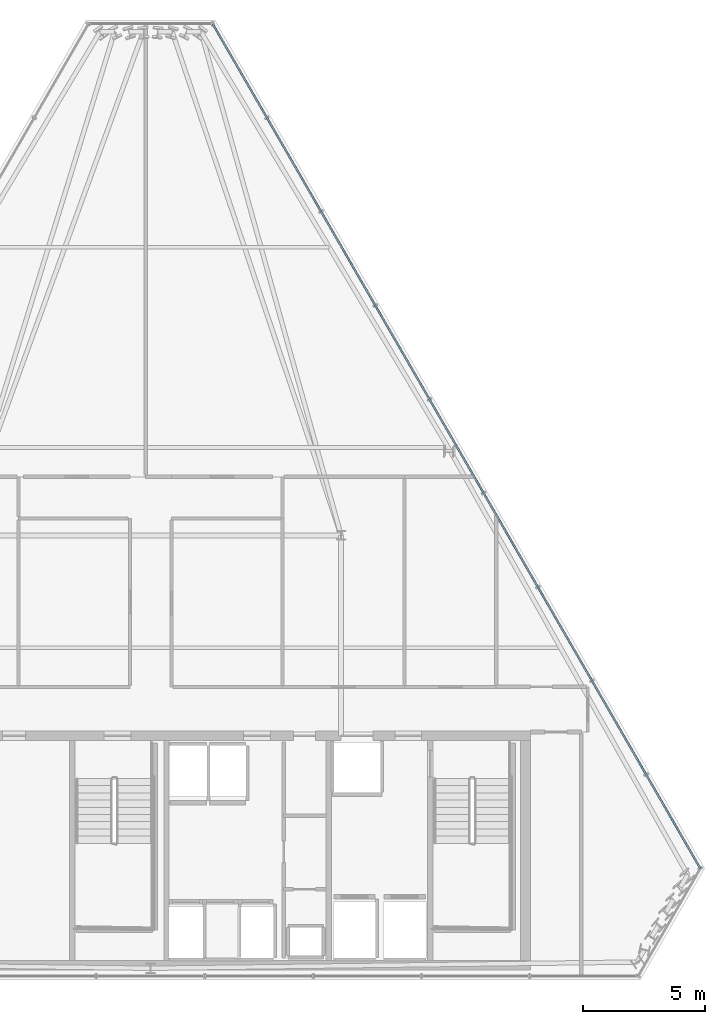
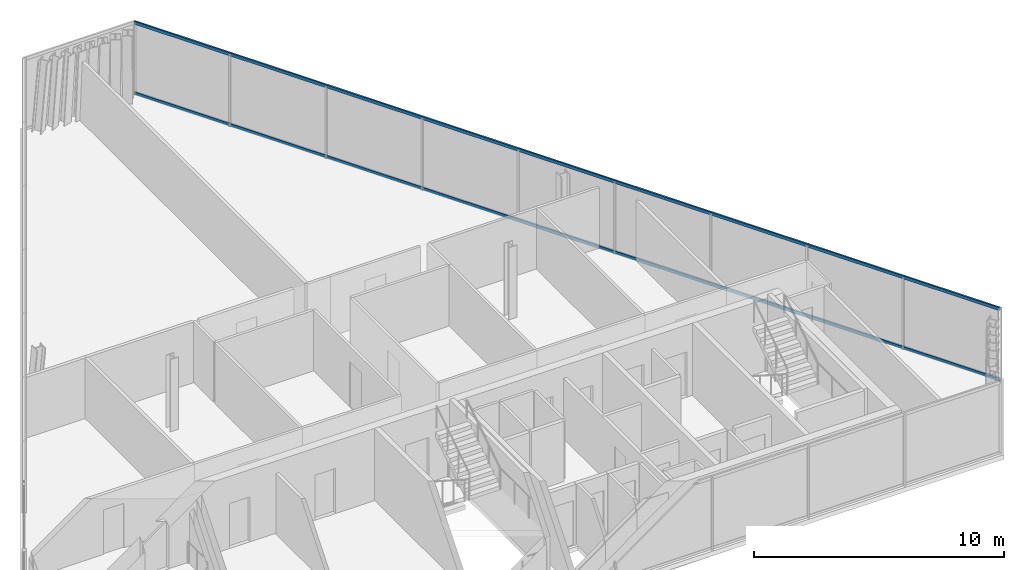
# One storey, part 26 of 35: 2 members, 1 element without a shape of its own.
"""IFC4 building model written with IfcOpenShell, lengths in metres."""

from ifc_helpers import new_model, si_unit, direction, frame, origin, origin_2d, place, context, subcontext, project, spatial, hollow_rectangle, extrude, material, layer, layer_set, material_profile, profile_set, type_object, element, aggregate, save


model = new_model("IFC4")

# Units and contexts
model_context = context("Model", 3, precision=1e-05, world=origin(), true_north=direction((0.0, 1.0)))
body_context = subcontext(model_context, "Body", "Model", "MODEL_VIEW")
ifc_project = project(units=[si_unit("LENGTHUNIT", "METRE"), si_unit("AREAUNIT", "SQUARE_METRE"), si_unit("VOLUMEUNIT", "CUBIC_METRE"), si_unit("PLANEANGLEUNIT", "RADIAN"), si_unit("MASSUNIT", "GRAM", prefix="KILO")], contexts=[model_context])

# Site, building, storey
site_placement = place(None, origin())
site = spatial("IfcSite", under=ifc_project, at=site_placement, CompositionType="ELEMENT")
building_placement = place(site_placement, origin())
building = spatial("IfcBuilding", under=site, at=building_placement, Name="Ndaravel Arena Tower", CompositionType="ELEMENT")
storey_placement = place(building_placement, frame((0.0, 0.0, 275.0)))
storey = spatial("IfcBuildingStorey", under=building, at=storey_placement, Name="L67", CompositionType="ELEMENT", Elevation=275.0)

# Curtain wall, members
ifc_material_1 = material(Name="Aluminium", Category="aluminium")
ifc_layer = layer(ifc_material_1, 0.179931640625)
ifc_layer_set = layer_set([ifc_layer], Name="Aluminium")
curtain_wall_type = type_object("IfcCurtainWallType", Name="CW-SYS-03", PredefinedType="NOTDEFINED", material=ifc_layer_set)
curtain_wall_placement = place(storey_placement, origin())
curtain_wall = element("IfcCurtainWall", 1, at=curtain_wall_placement, inside=storey, type_object=curtain_wall_type, Name="L67 Faceted Crystal Curtain Wall CW-L67-E03", PredefinedType="NOTDEFINED")
ifc_material_2 = material(Name="Aluminium", Category="aluminium")
ifc_material_profile = material_profile(ifc_material_2, hollow_rectangle(XDim=0.074951171875, YDim=0.14990234375, WallThickness=0.00390625, at=origin_2d()), Name="CW TRANSOM 75x150x4")
ifc_profile_set = profile_set([ifc_material_profile], Name="Aluminium")
member_type = type_object("IfcMemberType", Name="MEM-CW-TRN150", PredefinedType="USERDEFINED", material=ifc_profile_set)
member_1_placement = place(storey_placement, frame((64.50390625, 9.567626953125, 0.0400390625), z_axis=(-0.499996339024, 0.86602751744, 0.0), x_axis=(-0.86602751744, -0.499996339024, 0.0)))
member_1 = element("IfcMember", 2, at=member_1_placement, type_object=member_type, Name="CW-L67-E03 Transom 01", ObjectType="TRANSOM", PredefinedType="USERDEFINED", context=body_context, shape_type="SweptSolid", body=[
    extrude(hollow_rectangle(XDim=0.074951171875, YDim=0.14990234375, WallThickness=0.00390625, at=origin_2d()), origin(), (0.0, 0.0, 1.0), 39.918212890625),
])
member_2_placement = place(storey_placement, frame((64.50390625, 9.567626953125, 3.47998046875), z_axis=(-0.499996339024, 0.86602751744, 0.0), x_axis=(-0.86602751744, -0.499996339024, 0.0)))
member_2 = element("IfcMember", 3, at=member_2_placement, type_object=member_type, Name="CW-L67-E03 Transom 02", ObjectType="TRANSOM", PredefinedType="USERDEFINED", context=body_context, shape_type="SweptSolid", body=[
    extrude(hollow_rectangle(XDim=0.074951171875, YDim=0.14990234375, WallThickness=0.00390625, at=origin_2d()), origin(), (0.0, 0.0, 1.0), 39.918212890625),
])
aggregate(curtain_wall, [member_1, member_2])

save(model, "model.ifc")
